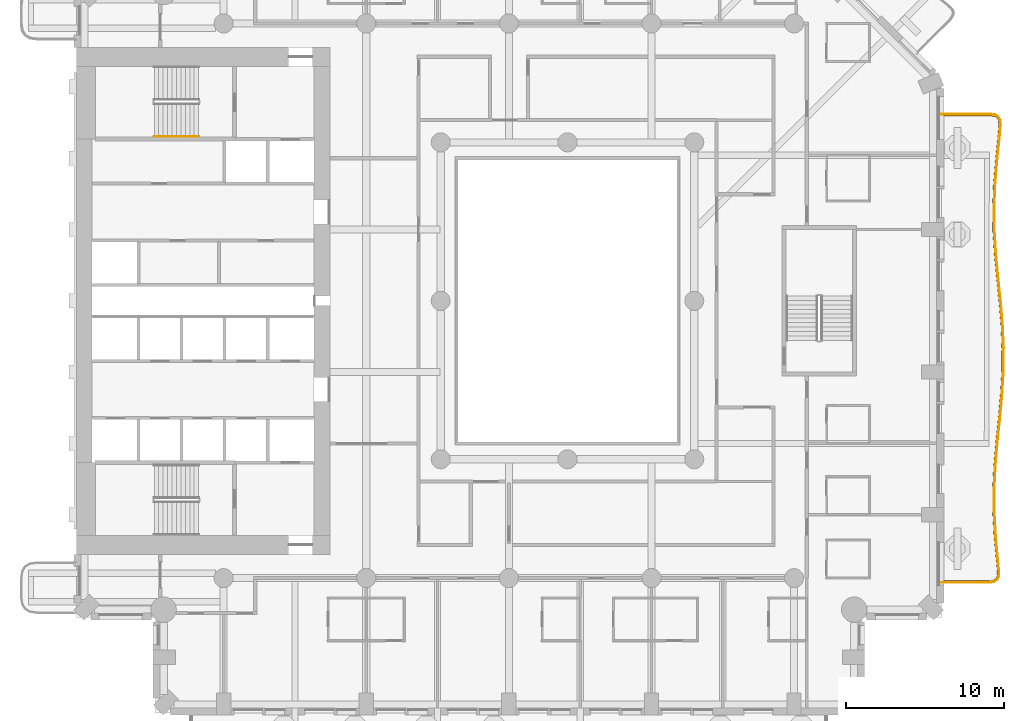
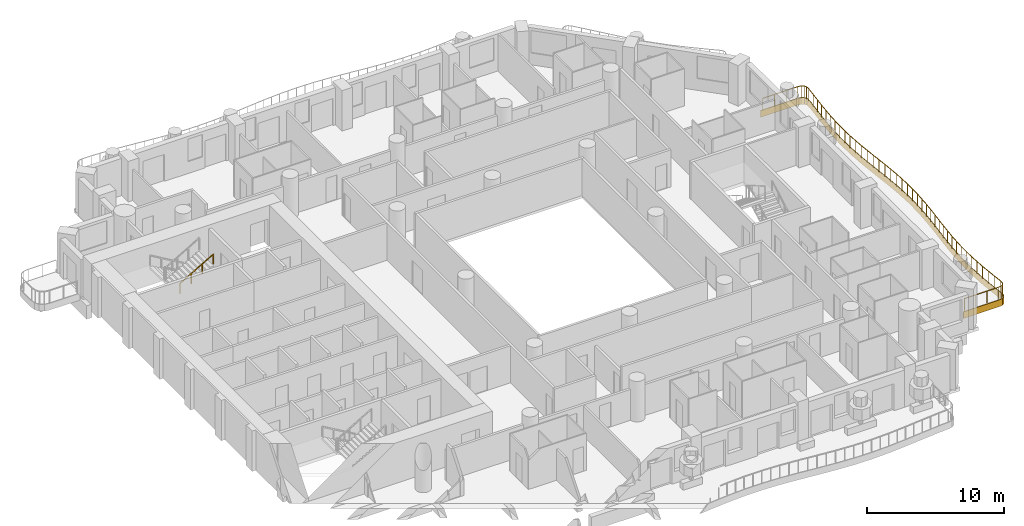
# One storey, part 16 of 20: 2 railings, 1 covering.
"""IFC4 building model written with IfcOpenShell, lengths in metres."""

from ifc_helpers import new_model, si_unit, direction, frame, origin, origin_2d, place, context, subcontext, project, spatial, polyline, rectangle, outline, extrude, material, layer, layer_set, type_object, element, save


model = new_model("IFC4")

# Units and contexts
model_context = context("Model", 3, precision=1e-05, world=origin(), true_north=direction((0.0, 1.0)))
body_context = subcontext(model_context, "Body", "Model", "MODEL_VIEW")
ifc_project = project(units=[si_unit("LENGTHUNIT", "METRE"), si_unit("AREAUNIT", "SQUARE_METRE"), si_unit("VOLUMEUNIT", "CUBIC_METRE"), si_unit("PLANEANGLEUNIT", "RADIAN"), si_unit("MASSUNIT", "GRAM", prefix="KILO")], contexts=[model_context])

# Site, building, storey
site_placement = place(None, origin())
site = spatial("IfcSite", under=ifc_project, at=site_placement, CompositionType="ELEMENT")
building_placement = place(site_placement, origin())
building = spatial("IfcBuilding", under=site, at=building_placement, Name="Cypress Arch Tower", CompositionType="ELEMENT")
storey_placement = place(building_placement, frame((0.0, 0.0, 59.10009765625)))
storey = spatial("IfcBuildingStorey", under=building, at=storey_placement, Name="L08", CompositionType="ELEMENT", Elevation=59.10009765625)

# Covering
ifc_material_1 = material(Name="White powder-coated aluminium fascia", Category="aluminium")
ifc_layer = layer(ifc_material_1, 0.050048828125)
ifc_layer_set = layer_set([ifc_layer], Name="Balcony fascia BF50")
covering_type = type_object("IfcCoveringType", Name="Balcony fascia BF50", PredefinedType="CLADDING", material=ifc_layer_set)
covering_placement = place(storey_placement, frame((0.0, 0.0, -0.60009765625)))
element("IfcCovering", 1, at=covering_placement, inside=storey, type_object=covering_type, Name="Balcony fascia L08-A06", PredefinedType="CLADDING", context=body_context, shape_type="SweptSolid", body=[
    extrude(outline(polyline([(27.708740234375, 11.800048828125), (28.0107421875, 11.756591796875), (28.2275390625, 11.618896484375), (28.343505859375, 11.3896484375), (28.357666015625, 11.0849609375), (28.278564453125, 10.27001953125), (28.127685546875, 8.79541015625), (28.0087890625, 7.322021484375), (27.9521484375, 5.849365234375), (27.972900390625, 4.376953125), (28.065185546875, 2.904052734375), (28.205322265625, 1.429931640625), (28.357177734375, -0.04541015625), (28.4814453125, -1.521728515625), (28.54541015625, -2.9990234375), (28.53271484375, -4.4765625), (28.44677734375, -5.953857421875), (28.3095703125, -7.429931640625), (28.156982421875, -8.90478515625), (28.02880859375, -10.37841796875), (27.957763671875, -11.85107421875), (27.96240234375, -13.323486328125), (28.04150390625, -14.79638671875), (28.174560546875, -16.270263671875), (28.259033203125, -17.084716796875), (28.246826171875, -17.389404296875), (28.132080078125, -17.618896484375), (27.915771484375, -17.756591796875), (27.614013671875, -17.800048828125), (24.60107421875, -17.800048828125), (24.60107421875, -17.75), (27.6103515625, -17.75), (27.89794921875, -17.70849609375), (28.09375, -17.583984375), (28.197265625, -17.376708984375), (28.208984375, -17.086181640625), (28.125, -16.27490234375), (27.99169921875, -14.800048828125), (27.912353515625, -13.324951171875), (27.90771484375, -11.85009765625), (27.978759765625, -10.375), (28.107177734375, -8.89990234375), (28.259765625, -7.425048828125), (28.396728515625, -5.949951171875), (28.48291015625, -4.47509765625), (28.495361328125, -3.0), (28.431396484375, -1.52490234375), (28.3076171875, -0.050048828125), (28.15576171875, 1.425048828125), (28.015380859375, 2.89990234375), (27.9228515625, 4.375), (27.90234375, 5.85009765625), (27.958740234375, 7.324951171875), (28.077880859375, 8.800048828125), (28.228759765625, 10.27490234375), (28.3076171875, 11.086181640625), (28.294189453125, 11.376708984375), (28.189208984375, 11.583984375), (27.992919921875, 11.70849609375), (27.705078125, 11.75), (24.60107421875, 11.75), (24.60107421875, 11.800048828125), (27.708740234375, 11.800048828125)])), origin(), (0.0, 0.0, 1.0), 0.60009765625),
])

# Railings
ifc_material_2 = material(Name="Powder-coated steel posts and rods, 100 mm clear between rods", Category="steel")
railing_type_1 = type_object("IfcRailingType", Name="Balcony guard GR1100", PredefinedType="GUARDRAIL", material=ifc_material_2)
railing_1_placement = place(storey_placement, frame((24.75, 11.699951171875, 0.0)))
element("IfcRailing", 2, at=railing_1_placement, inside=storey, type_object=railing_type_1, Name="Balcony guard L08-A06", PredefinedType="GUARDRAIL", context=body_context, shape_type="SweptSolid", body=[
    extrude(rectangle(XDim=0.050048828125, YDim=0.050048828125, at=origin_2d()), frame((0.0, 0.0, 1.0751953125), z_axis=(1.0, 0.0, 0.0), x_axis=(0.0, 1.0, 0.0)), (0.0, 0.0, 1.0), 2.95166015625),
    extrude(rectangle(XDim=0.050048828125, YDim=0.050048828125, at=origin_2d()), frame((2.95166015625, 0.0, 1.0751953125), z_axis=(0.989825386618, -0.142287399326, 0.0), x_axis=(0.142287399326, 0.989825386618, 0.0)), (0.0, 0.0, 1.0), 0.2763671875),
    extrude(rectangle(XDim=0.050048828125, YDim=0.050048828125, at=origin_2d()), frame((3.22509765625, -0.039306640625, 1.0751953125), z_axis=(0.844819075554, -0.535052081184, 0.0), x_axis=(0.535052081184, 0.844819075554, 0.0)), (0.0, 0.0, 1.0), 0.2080078125),
    extrude(rectangle(XDim=0.050048828125, YDim=0.050048828125, at=origin_2d()), frame((3.40087890625, -0.150634765625, 1.0751953125), z_axis=(0.450495442102, -0.892778727707, 0.0), x_axis=(0.892778727707, 0.450495442102, 0.0)), (0.0, 0.0, 1.0), 0.2080078125),
    extrude(rectangle(XDim=0.050048828125, YDim=0.050048828125, at=origin_2d()), frame((3.49462890625, -0.33642578125, 1.0751953125), z_axis=(0.046809816486, -0.998903819735, 0.0), x_axis=(0.998903819735, 0.046809816486, 0.0)), (0.0, 0.0, 1.0), 0.2763671875),
    extrude(rectangle(XDim=0.050048828125, YDim=0.050048828125, at=origin_2d()), frame((3.507568359375, -0.612548828125, 1.0751953125), z_axis=(-0.096910905803, -0.995293060529, 0.0), x_axis=(0.995293060529, -0.096910905803, 0.0)), (0.0, 0.0, 1.0), 0.811279296875),
    extrude(rectangle(XDim=0.050048828125, YDim=0.050048828125, at=origin_2d()), frame((3.428955078125, -1.419921875, 1.0751953125), z_axis=(-0.101719802927, -0.994813088822, 0.0), x_axis=(0.994813088822, -0.101719802927, 0.0)), (0.0, 0.0, 1.0), 1.4833984375),
    extrude(rectangle(XDim=0.050048828125, YDim=0.050048828125, at=origin_2d()), frame((3.278076171875, -2.8955078125, 1.0751953125), z_axis=(-0.0804264462, -0.996760546346, 0.0), x_axis=(0.996760546346, -0.0804264462, 0.0)), (0.0, 0.0, 1.0), 1.4814453125),
    extrude(rectangle(XDim=0.050048828125, YDim=0.050048828125, at=origin_2d()), frame((3.158935546875, -4.3720703125, 1.0751953125), z_axis=(-0.038312620405, -0.999265802036, 0.0), x_axis=(0.999265802036, -0.038312620405, 0.0)), (0.0, 0.0, 1.0), 1.478271484375),
    extrude(rectangle(XDim=0.050048828125, YDim=0.050048828125, at=origin_2d()), frame((3.102294921875, -5.849365234375, 1.0751953125), z_axis=(0.013878372443, -0.999903690751, 0.0), x_axis=(0.999903690751, 0.013878372443, 0.0)), (0.0, 0.0, 1.0), 1.477783203125),
    extrude(rectangle(XDim=0.050048828125, YDim=0.050048828125, at=origin_2d()), frame((3.122802734375, -7.326904296875, 1.0751953125), z_axis=(0.062522069, -0.998043581658, 0.0), x_axis=(0.998043581658, 0.062522069, 0.0)), (0.0, 0.0, 1.0), 1.47998046875),
    extrude(rectangle(XDim=0.050048828125, YDim=0.050048828125, at=origin_2d()), frame((3.21533203125, -8.803955078125, 1.0751953125), z_axis=(0.094855721039, -0.995491030691, 0.0), x_axis=(0.995491030691, 0.094855721039, 0.0)), (0.0, 0.0, 1.0), 1.482421875),
    extrude(rectangle(XDim=0.050048828125, YDim=0.050048828125, at=origin_2d()), frame((3.35595703125, -10.27978515625, 1.0751953125), z_axis=(0.102421610817, -0.994741078692, 0.0), x_axis=(0.994741078692, 0.102421610817, 0.0)), (0.0, 0.0, 1.0), 1.482666015625),
    extrude(rectangle(XDim=0.050048828125, YDim=0.050048828125, at=origin_2d()), frame((3.5078125, -11.754638671875, 1.0751953125), z_axis=(0.083715044817, -0.996489734654, 0.0), x_axis=(0.996489734654, 0.083715044817, 0.0)), (0.0, 0.0, 1.0), 1.478515625),
    extrude(rectangle(XDim=0.050048828125, YDim=0.050048828125, at=origin_2d()), frame((3.631591796875, -13.22802734375, 1.0751953125), z_axis=(0.043221630659, -0.999065508685, 0.0), x_axis=(0.999065508685, 0.043221630659, 0.0)), (0.0, 0.0, 1.0), 1.474365234375),
    extrude(rectangle(XDim=0.050048828125, YDim=0.050048828125, at=origin_2d()), frame((3.6953125, -14.700927734375, 1.0751953125), z_axis=(-0.008456006734, -0.999964247336, 0.0), x_axis=(0.999964247336, -0.008456006734, 0.0)), (0.0, 0.0, 1.0), 1.472412109375),
    extrude(rectangle(XDim=0.050048828125, YDim=0.050048828125, at=origin_2d()), frame((3.682861328125, -16.17333984375, 1.0751953125), z_axis=(-0.058246706649, -0.998302219353, 0.0), x_axis=(0.998302219353, -0.058246706649, 0.0)), (0.0, 0.0, 1.0), 1.475341796875),
    extrude(rectangle(XDim=0.050048828125, YDim=0.050048828125, at=origin_2d()), frame((3.596923828125, -17.646240234375, 1.0751953125), z_axis=(-0.092528298978, -0.995710055131, 0.0), x_axis=(0.995710055131, -0.092528298978, 0.0)), (0.0, 0.0, 1.0), 1.480224609375),
    extrude(rectangle(XDim=0.050048828125, YDim=0.050048828125, at=origin_2d()), frame((3.4599609375, -19.1201171875, 1.0751953125), z_axis=(-0.102730643463, -0.994709211224, 0.0), x_axis=(0.994709211224, -0.102730643463, 0.0)), (0.0, 0.0, 1.0), 1.48291015625),
    extrude(rectangle(XDim=0.050048828125, YDim=0.050048828125, at=origin_2d()), frame((3.3076171875, -20.59521484375, 1.0751953125), z_axis=(-0.086821561775, -0.996223878659, 0.0), x_axis=(0.996223878659, -0.086821561775, 0.0)), (0.0, 0.0, 1.0), 1.48193359375),
    extrude(rectangle(XDim=0.050048828125, YDim=0.050048828125, at=origin_2d()), frame((3.178955078125, -22.071533203125, 1.0751953125), z_axis=(-0.04820039731, -0.998837685362, 0.0), x_axis=(0.998837685362, -0.04820039731, 0.0)), (0.0, 0.0, 1.0), 1.47900390625),
    extrude(rectangle(XDim=0.050048828125, YDim=0.050048828125, at=origin_2d()), frame((3.107666015625, -23.548828125, 1.0751953125), z_axis=(0.003139442559, -0.999995071938, 0.0), x_axis=(0.999995071938, 0.003139442559, 0.0)), (0.0, 0.0, 1.0), 1.4775390625),
    extrude(rectangle(XDim=0.050048828125, YDim=0.050048828125, at=origin_2d()), frame((3.1123046875, -25.0263671875, 1.0751953125), z_axis=(0.053632826865, -0.998560724184, 0.0), x_axis=(0.998560724184, 0.053632826865, 0.0)), (0.0, 0.0, 1.0), 1.4794921875),
    extrude(rectangle(XDim=0.050048828125, YDim=0.050048828125, at=origin_2d()), frame((3.191650390625, -26.503662109375, 1.0751953125), z_axis=(0.090105020079, -0.995932269462, 0.0), x_axis=(0.995932269462, 0.090105020079, 0.0)), (0.0, 0.0, 1.0), 1.482177734375),
    extrude(rectangle(XDim=0.050048828125, YDim=0.050048828125, at=origin_2d()), frame((3.3251953125, -27.979736328125, 1.0751953125), z_axis=(0.102776115939, -0.99470451391, 0.0), x_axis=(0.99470451391, 0.102776115939, 0.0)), (0.0, 0.0, 1.0), 0.8125),
    extrude(rectangle(XDim=0.050048828125, YDim=0.050048828125, at=origin_2d()), frame((3.40869140625, -28.787841796875, 1.0751953125), z_axis=(-0.039756342338, -0.999209404101, 0.0), x_axis=(0.999209404101, -0.039756342338, 0.0)), (0.0, 0.0, 1.0), 0.2763671875),
    extrude(rectangle(XDim=0.050048828125, YDim=0.050048828125, at=origin_2d()), frame((3.397705078125, -29.06396484375, 1.0751953125), z_axis=(-0.446742037809, -0.894662814503, 0.0), x_axis=(0.894662814503, -0.446742037809, 0.0)), (0.0, 0.0, 1.0), 0.20703125),
    extrude(rectangle(XDim=0.050048828125, YDim=0.050048828125, at=origin_2d()), frame((3.30517578125, -29.249267578125, 1.0751953125), z_axis=(-0.843806833318, -0.5366470237, 0.0), x_axis=(0.5366470237, -0.843806833318, 0.0)), (0.0, 0.0, 1.0), 0.20751953125),
    extrude(rectangle(XDim=0.050048828125, YDim=0.050048828125, at=origin_2d()), frame((3.130126953125, -29.360595703125, 1.0751953125), z_axis=(-0.989825386618, -0.142287399326, 0.0), x_axis=(0.142287399326, -0.989825386618, 0.0)), (0.0, 0.0, 1.0), 0.2763671875),
    extrude(rectangle(XDim=0.050048828125, YDim=0.050048828125, at=origin_2d()), frame((2.856689453125, -29.39990234375, 1.0751953125), z_axis=(-1.0, 0.0, 0.0), x_axis=(0.0, -1.0, 0.0)), (0.0, 0.0, 1.0), 2.856689453125),
    extrude(rectangle(XDim=0.0400390625, YDim=0.0400390625, at=origin_2d()), origin(), (0.0, 0.0, 1.0), 1.050048828125),
    extrude(rectangle(XDim=0.0400390625, YDim=0.0400390625, at=origin_2d()), frame((0.98388671875, 0.0, 0.0)), (0.0, 0.0, 1.0), 1.050048828125),
    extrude(rectangle(XDim=0.0400390625, YDim=0.0400390625, at=origin_2d()), frame((1.9677734375, 0.0, 0.0)), (0.0, 0.0, 1.0), 1.050048828125),
    extrude(rectangle(XDim=0.0400390625, YDim=0.0400390625, at=origin_2d()), frame((2.95166015625, 0.0, 0.0)), (0.0, 0.0, 1.0), 1.050048828125),
    extrude(rectangle(XDim=0.0400390625, YDim=0.0400390625, at=origin_2d()), frame((3.22509765625, -0.039306640625, 0.0)), (0.0, 0.0, 1.0), 1.050048828125),
    extrude(rectangle(XDim=0.0400390625, YDim=0.0400390625, at=origin_2d()), frame((3.40087890625, -0.150634765625, 0.0)), (0.0, 0.0, 1.0), 1.050048828125),
    extrude(rectangle(XDim=0.0400390625, YDim=0.0400390625, at=origin_2d()), frame((3.49462890625, -0.33642578125, 0.0)), (0.0, 0.0, 1.0), 1.050048828125),
    extrude(rectangle(XDim=0.0400390625, YDim=0.0400390625, at=origin_2d()), frame((3.507568359375, -0.612548828125, 0.0)), (0.0, 0.0, 1.0), 1.050048828125),
    extrude(rectangle(XDim=0.0400390625, YDim=0.0400390625, at=origin_2d()), frame((3.428955078125, -1.419921875, 0.0)), (0.0, 0.0, 1.0), 1.050048828125),
    extrude(rectangle(XDim=0.0400390625, YDim=0.0400390625, at=origin_2d()), frame((3.353515625, -2.15771484375, 0.0)), (0.0, 0.0, 1.0), 1.050048828125),
    extrude(rectangle(XDim=0.0400390625, YDim=0.0400390625, at=origin_2d()), frame((3.278076171875, -2.8955078125, 0.0)), (0.0, 0.0, 1.0), 1.050048828125),
    extrude(rectangle(XDim=0.0400390625, YDim=0.0400390625, at=origin_2d()), frame((3.218505859375, -3.6337890625, 0.0)), (0.0, 0.0, 1.0), 1.050048828125),
    extrude(rectangle(XDim=0.0400390625, YDim=0.0400390625, at=origin_2d()), frame((3.158935546875, -4.3720703125, 0.0)), (0.0, 0.0, 1.0), 1.050048828125),
    extrude(rectangle(XDim=0.0400390625, YDim=0.0400390625, at=origin_2d()), frame((3.130615234375, -5.11083984375, 0.0)), (0.0, 0.0, 1.0), 1.050048828125),
    extrude(rectangle(XDim=0.0400390625, YDim=0.0400390625, at=origin_2d()), frame((3.102294921875, -5.849365234375, 0.0)), (0.0, 0.0, 1.0), 1.050048828125),
    extrude(rectangle(XDim=0.0400390625, YDim=0.0400390625, at=origin_2d()), frame((3.112548828125, -6.588134765625, 0.0)), (0.0, 0.0, 1.0), 1.050048828125),
    extrude(rectangle(XDim=0.0400390625, YDim=0.0400390625, at=origin_2d()), frame((3.122802734375, -7.326904296875, 0.0)), (0.0, 0.0, 1.0), 1.050048828125),
    extrude(rectangle(XDim=0.0400390625, YDim=0.0400390625, at=origin_2d()), frame((3.1689453125, -8.0654296875, 0.0)), (0.0, 0.0, 1.0), 1.050048828125),
    extrude(rectangle(XDim=0.0400390625, YDim=0.0400390625, at=origin_2d()), frame((3.21533203125, -8.803955078125, 0.0)), (0.0, 0.0, 1.0), 1.050048828125),
    extrude(rectangle(XDim=0.0400390625, YDim=0.0400390625, at=origin_2d()), frame((3.28564453125, -9.5419921875, 0.0)), (0.0, 0.0, 1.0), 1.050048828125),
    extrude(rectangle(XDim=0.0400390625, YDim=0.0400390625, at=origin_2d()), frame((3.35595703125, -10.27978515625, 0.0)), (0.0, 0.0, 1.0), 1.050048828125),
    extrude(rectangle(XDim=0.0400390625, YDim=0.0400390625, at=origin_2d()), frame((3.431884765625, -11.01708984375, 0.0)), (0.0, 0.0, 1.0), 1.050048828125),
    extrude(rectangle(XDim=0.0400390625, YDim=0.0400390625, at=origin_2d()), frame((3.5078125, -11.754638671875, 0.0)), (0.0, 0.0, 1.0), 1.050048828125),
    extrude(rectangle(XDim=0.0400390625, YDim=0.0400390625, at=origin_2d()), frame((3.56982421875, -12.4912109375, 0.0)), (0.0, 0.0, 1.0), 1.050048828125),
    extrude(rectangle(XDim=0.0400390625, YDim=0.0400390625, at=origin_2d()), frame((3.631591796875, -13.22802734375, 0.0)), (0.0, 0.0, 1.0), 1.050048828125),
    extrude(rectangle(XDim=0.0400390625, YDim=0.0400390625, at=origin_2d()), frame((3.66357421875, -13.96435546875, 0.0)), (0.0, 0.0, 1.0), 1.050048828125),
    extrude(rectangle(XDim=0.0400390625, YDim=0.0400390625, at=origin_2d()), frame((3.6953125, -14.700927734375, 0.0)), (0.0, 0.0, 1.0), 1.050048828125),
    extrude(rectangle(XDim=0.0400390625, YDim=0.0400390625, at=origin_2d()), frame((3.68896484375, -15.43701171875, 0.0)), (0.0, 0.0, 1.0), 1.050048828125),
    extrude(rectangle(XDim=0.0400390625, YDim=0.0400390625, at=origin_2d()), frame((3.682861328125, -16.17333984375, 0.0)), (0.0, 0.0, 1.0), 1.050048828125),
    extrude(rectangle(XDim=0.0400390625, YDim=0.0400390625, at=origin_2d()), frame((3.639892578125, -16.90966796875, 0.0)), (0.0, 0.0, 1.0), 1.050048828125),
    extrude(rectangle(XDim=0.0400390625, YDim=0.0400390625, at=origin_2d()), frame((3.596923828125, -17.646240234375, 0.0)), (0.0, 0.0, 1.0), 1.050048828125),
    extrude(rectangle(XDim=0.0400390625, YDim=0.0400390625, at=origin_2d()), frame((3.5283203125, -18.38330078125, 0.0)), (0.0, 0.0, 1.0), 1.050048828125),
    extrude(rectangle(XDim=0.0400390625, YDim=0.0400390625, at=origin_2d()), frame((3.4599609375, -19.1201171875, 0.0)), (0.0, 0.0, 1.0), 1.050048828125),
    extrude(rectangle(XDim=0.0400390625, YDim=0.0400390625, at=origin_2d()), frame((3.3837890625, -19.857666015625, 0.0)), (0.0, 0.0, 1.0), 1.050048828125),
    extrude(rectangle(XDim=0.0400390625, YDim=0.0400390625, at=origin_2d()), frame((3.3076171875, -20.59521484375, 0.0)), (0.0, 0.0, 1.0), 1.050048828125),
    extrude(rectangle(XDim=0.0400390625, YDim=0.0400390625, at=origin_2d()), frame((3.2431640625, -21.33349609375, 0.0)), (0.0, 0.0, 1.0), 1.050048828125),
    extrude(rectangle(XDim=0.0400390625, YDim=0.0400390625, at=origin_2d()), frame((3.178955078125, -22.071533203125, 0.0)), (0.0, 0.0, 1.0), 1.050048828125),
    extrude(rectangle(XDim=0.0400390625, YDim=0.0400390625, at=origin_2d()), frame((3.143310546875, -22.81005859375, 0.0)), (0.0, 0.0, 1.0), 1.050048828125),
    extrude(rectangle(XDim=0.0400390625, YDim=0.0400390625, at=origin_2d()), frame((3.107666015625, -23.548828125, 0.0)), (0.0, 0.0, 1.0), 1.050048828125),
    extrude(rectangle(XDim=0.0400390625, YDim=0.0400390625, at=origin_2d()), frame((3.10986328125, -24.28759765625, 0.0)), (0.0, 0.0, 1.0), 1.050048828125),
    extrude(rectangle(XDim=0.0400390625, YDim=0.0400390625, at=origin_2d()), frame((3.1123046875, -25.0263671875, 0.0)), (0.0, 0.0, 1.0), 1.050048828125),
    extrude(rectangle(XDim=0.0400390625, YDim=0.0400390625, at=origin_2d()), frame((3.15185546875, -25.76513671875, 0.0)), (0.0, 0.0, 1.0), 1.050048828125),
    extrude(rectangle(XDim=0.0400390625, YDim=0.0400390625, at=origin_2d()), frame((3.191650390625, -26.503662109375, 0.0)), (0.0, 0.0, 1.0), 1.050048828125),
    extrude(rectangle(XDim=0.0400390625, YDim=0.0400390625, at=origin_2d()), frame((3.25830078125, -27.24169921875, 0.0)), (0.0, 0.0, 1.0), 1.050048828125),
    extrude(rectangle(XDim=0.0400390625, YDim=0.0400390625, at=origin_2d()), frame((3.3251953125, -27.979736328125, 0.0)), (0.0, 0.0, 1.0), 1.050048828125),
    extrude(rectangle(XDim=0.0400390625, YDim=0.0400390625, at=origin_2d()), frame((3.40869140625, -28.787841796875, 0.0)), (0.0, 0.0, 1.0), 1.050048828125),
    extrude(rectangle(XDim=0.0400390625, YDim=0.0400390625, at=origin_2d()), frame((3.397705078125, -29.06396484375, 0.0)), (0.0, 0.0, 1.0), 1.050048828125),
    extrude(rectangle(XDim=0.0400390625, YDim=0.0400390625, at=origin_2d()), frame((3.30517578125, -29.249267578125, 0.0)), (0.0, 0.0, 1.0), 1.050048828125),
    extrude(rectangle(XDim=0.0400390625, YDim=0.0400390625, at=origin_2d()), frame((3.130126953125, -29.360595703125, 0.0)), (0.0, 0.0, 1.0), 1.050048828125),
    extrude(rectangle(XDim=0.0400390625, YDim=0.0400390625, at=origin_2d()), frame((2.856689453125, -29.39990234375, 0.0)), (0.0, 0.0, 1.0), 1.050048828125),
    extrude(rectangle(XDim=0.0400390625, YDim=0.0400390625, at=origin_2d()), frame((1.904541015625, -29.39990234375, 0.0)), (0.0, 0.0, 1.0), 1.050048828125),
    extrude(rectangle(XDim=0.0400390625, YDim=0.0400390625, at=origin_2d()), frame((0.9521484375, -29.39990234375, 0.0)), (0.0, 0.0, 1.0), 1.050048828125),
    extrude(rectangle(XDim=0.0400390625, YDim=0.0400390625, at=origin_2d()), frame((0.0, -29.39990234375, 0.0)), (0.0, 0.0, 1.0), 1.050048828125),
])
ifc_material_3 = material(Name="Black powder-coated steel square bar 48 mm", Category="steel")
railing_type_2 = type_object("IfcRailingType", Name="Stair handrail HR1", PredefinedType="HANDRAIL", material=ifc_material_3)
railing_2_placement = place(storey_placement, frame((-25.074951171875, 10.375, 1.963623046875)))
element("IfcRailing", 3, at=railing_2_placement, inside=storey, type_object=railing_type_2, Name="L08 B stair handrail 2", PredefinedType="HANDRAIL", context=body_context, shape_type="SweptSolid", body=[
    extrude(rectangle(XDim=0.048095703125, YDim=0.048095703125, at=origin_2d()), frame((0.0, 0.0, 0.8759765625), z_axis=(0.863393664356, 0.0, 0.504530851732), x_axis=(0.0, 1.0, 0.0)), (0.0, 0.0, 1.0), 3.2431640625),
    extrude(rectangle(XDim=0.0419921875, YDim=0.0419921875, at=origin_2d()), origin(), (0.0, 0.0, 1.0), 0.851806640625),
    extrude(rectangle(XDim=0.0419921875, YDim=0.0419921875, at=origin_2d()), frame((0.933349609375, 0.0, 0.54541015625)), (0.0, 0.0, 1.0), 0.851806640625),
    extrude(rectangle(XDim=0.0419921875, YDim=0.0419921875, at=origin_2d()), frame((1.86669921875, 0.0, 1.0908203125)), (0.0, 0.0, 1.0), 0.851806640625),
    extrude(rectangle(XDim=0.0419921875, YDim=0.0419921875, at=origin_2d()), frame((2.800048828125, 0.0, 1.63623046875)), (0.0, 0.0, 1.0), 0.851806640625),
])

save(model, "model.ifc")
